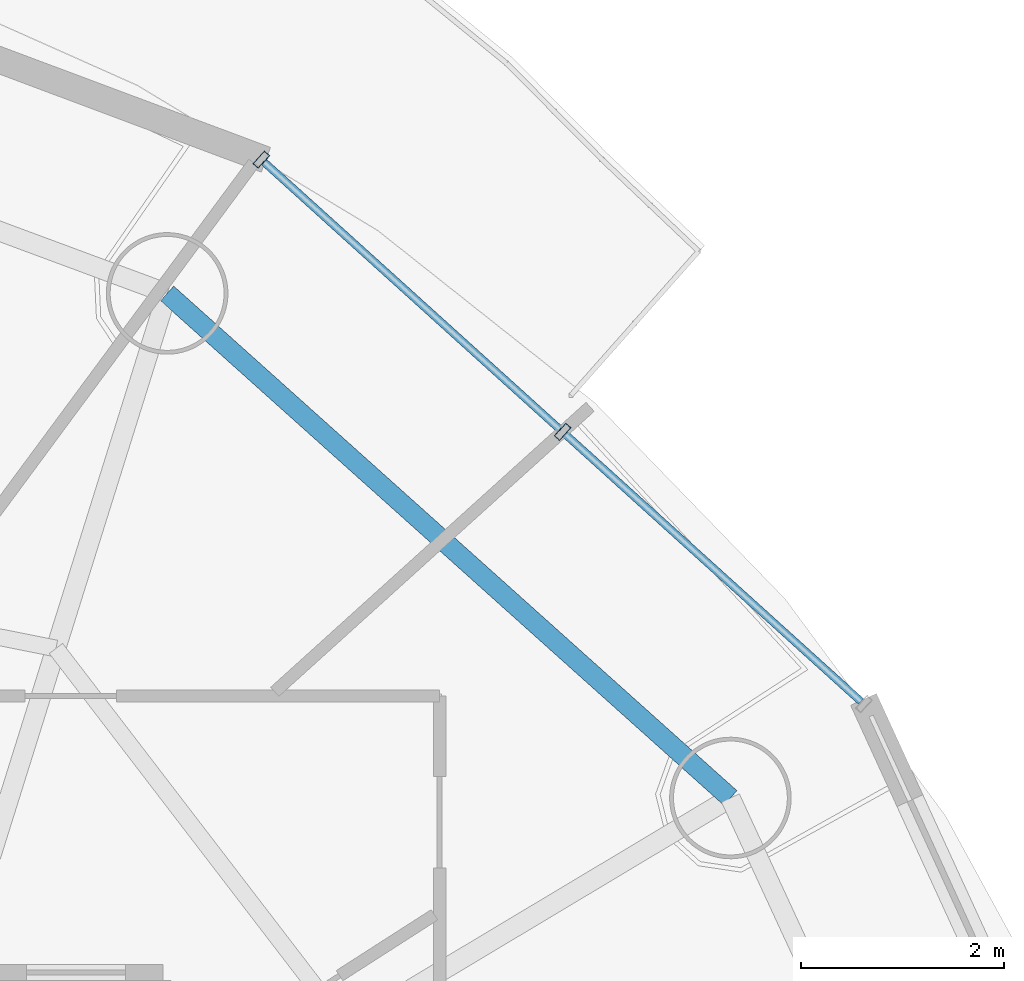
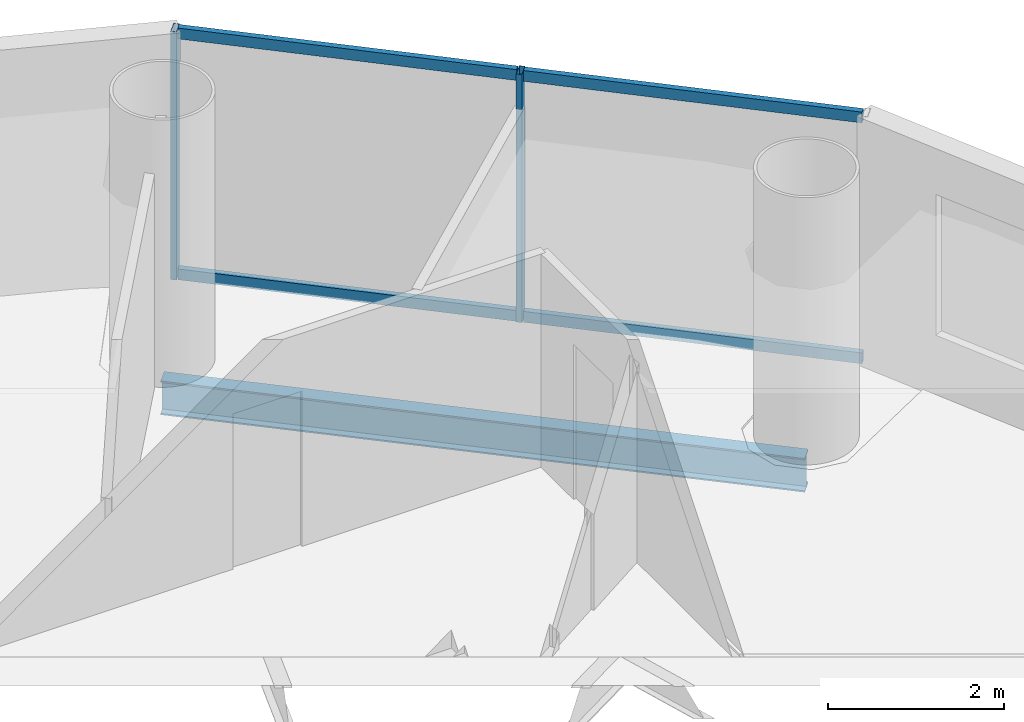
# One storey, part 18 of 27: 6 members, 1 beam, 1 element without a shape of its own.
"""IFC4 building model written with IfcOpenShell, lengths in metres."""

from ifc_helpers import new_model, si_unit, direction, frame, origin, origin_2d, place, context, subcontext, project, spatial, hollow_rectangle, i_section, extrude, source, transform, mapped, material, material_profile, profile_set, type_object, element, aggregate, save


model = new_model("IFC4")

# Units and contexts
model_context = context("Model", 3, precision=1e-05, world=origin(), true_north=direction((-0.2419218956, 0.970295726276)))
body_context = subcontext(model_context, "Body", "Model", "MODEL_VIEW")
ifc_project = project(units=[si_unit("LENGTHUNIT", "METRE"), si_unit("AREAUNIT", "SQUARE_METRE"), si_unit("VOLUMEUNIT", "CUBIC_METRE"), si_unit("PLANEANGLEUNIT", "RADIAN"), si_unit("MASSUNIT", "GRAM", prefix="KILO")], contexts=[model_context])

# Site, building, storey
site_placement = place(None, origin())
site = spatial("IfcSite", under=ifc_project, at=site_placement, CompositionType="ELEMENT")
building_placement = place(site_placement, origin())
building = spatial("IfcBuilding", under=site, at=building_placement, Name="Cobrevalo Terracotta Tower", CompositionType="ELEMENT")
storey_placement = place(building_placement, frame((0.0, 0.0, 191.199951171875)))
storey = spatial("IfcBuildingStorey", under=building, at=storey_placement, Name="L50", CompositionType="ELEMENT", Elevation=191.199951171875)

# Beam
ifc_material_1 = material(Name="Steel S355", Category="steel")
ifc_material_profile_1 = material_profile(ifc_material_1, i_section(OverallWidth=0.194091796875, OverallDepth=0.468994140625, WebThickness=0.011474609375, FlangeThickness=0.0205078125, at=origin_2d()), Name="W 460x106")
ifc_profile_set_1 = profile_set([ifc_material_profile_1], Name="Steel S355")
beam_type = type_object("IfcBeamType", Name="Structural Spandrel W 460x106 (Steel S355)", PredefinedType="SPANDREL", material=ifc_profile_set_1)
beam_placement = place(storey_placement, frame((54.754150390625, 36.828125, -0.49951171875), z_axis=(-0.744851930997, 0.667229796165, 0.0), x_axis=(-0.667229796165, -0.744851930997, 0.0)))
element("IfcBeam", 1, at=beam_placement, inside=storey, type_object=beam_type, Name="L50 perimeter ring spandrel 02", PredefinedType="SPANDREL", context=body_context, shape_type="SweptSolid", body=[
    extrude(i_section(OverallWidth=0.194091796875, OverallDepth=0.468994140625, WebThickness=0.011474609375, FlangeThickness=0.0205078125, at=origin_2d()), origin(), (0.0, 0.0, 1.0), 7.463623046875),
])

# Curtain wall, members
ifc_material_2 = material(Name="Anodized aluminium", Category="aluminium")
curtain_wall_type = type_object("IfcCurtainWallType", Name="Mid-tower high-wind unitised curtain wall CW-U2", PredefinedType="NOTDEFINED", material=ifc_material_2)
curtain_wall_placement = place(storey_placement, origin())
curtain_wall = element("IfcCurtainWall", 2, at=curtain_wall_placement, inside=storey, type_object=curtain_wall_type, Name="L50 curtain wall CW-L50-S02", PredefinedType="NOTDEFINED")
ifc_material_profile_2 = material_profile(ifc_material_2, hollow_rectangle(XDim=0.074951171875, YDim=0.14990234375, WallThickness=0.00439453125, at=origin_2d()), Name="CWT 75x150")
ifc_profile_set_2 = profile_set([ifc_material_profile_2], Name="Anodized aluminium")
member_type_1 = type_object("IfcMemberType", Name="Tower unitised aluminium transom 75x150", PredefinedType="USERDEFINED", material=ifc_profile_set_2)
shared_shape_1 = source(origin(), body_context, "Body", "SweptSolid", [
    extrude(hollow_rectangle(XDim=0.074951171875, YDim=0.14990234375, WallThickness=0.00439453125, at=origin_2d()), origin(), (0.0, 0.0, 1.0), 3.927490234375),
])
member_1_placement = place(storey_placement, frame((56.041748046875, 37.78173828125, 0.050048828125), z_axis=(-0.741975952623, 0.670426495396, 0.0), x_axis=(-0.670426495396, -0.741975952623, 0.0)))
member_1 = element("IfcMember", 3, at=member_1_placement, type_object=member_type_1, Name="CW-L50-S02 transom B01-T1", ObjectType="TRANSOM", PredefinedType="USERDEFINED", context=body_context, shape_type="MappedRepresentation", body=[
    mapped(shared_shape_1, transform((0.0, 0.0, 0.0), scale=1.0)),
])
member_2_placement = place(storey_placement, frame((56.041748046875, 37.78173828125, 3.385009765625), z_axis=(-0.741975952623, 0.670426495396, 0.0), x_axis=(-0.670426495396, -0.741975952623, 0.0)))
member_2 = element("IfcMember", 4, at=member_2_placement, type_object=member_type_1, Name="CW-L50-S02 transom B01-T2", ObjectType="TRANSOM", PredefinedType="USERDEFINED", context=body_context, shape_type="MappedRepresentation", body=[
    mapped(shared_shape_1, transform((0.0, 0.0, 0.0), scale=1.0)),
])
shared_shape_2 = source(origin(), body_context, "Body", "SweptSolid", [
    extrude(hollow_rectangle(XDim=0.074951171875, YDim=0.14990234375, WallThickness=0.00439453125, at=origin_2d()), origin(), (0.0, 0.0, 1.0), 3.927734375),
])
member_3_placement = place(storey_placement, frame((53.068359375, 40.46826171875, 0.050048828125), z_axis=(-0.742003891138, 0.670395573923, 0.0), x_axis=(-0.670395573923, -0.742003891138, 0.0)))
member_3 = element("IfcMember", 5, at=member_3_placement, type_object=member_type_1, Name="CW-L50-S02 transom B02-T1", ObjectType="TRANSOM", PredefinedType="USERDEFINED", context=body_context, shape_type="MappedRepresentation", body=[
    mapped(shared_shape_2, transform((0.0, 0.0, 0.0), scale=1.0)),
])
member_4_placement = place(storey_placement, frame((53.068359375, 40.46826171875, 3.385009765625), z_axis=(-0.742003891138, 0.670395573923, 0.0), x_axis=(-0.670395573923, -0.742003891138, 0.0)))
member_4 = element("IfcMember", 6, at=member_4_placement, type_object=member_type_1, Name="CW-L50-S02 transom B02-T2", ObjectType="TRANSOM", PredefinedType="USERDEFINED", context=body_context, shape_type="MappedRepresentation", body=[
    mapped(shared_shape_2, transform((0.0, 0.0, 0.0), scale=1.0)),
])
ifc_material_profile_3 = material_profile(ifc_material_2, hollow_rectangle(XDim=0.070068359375, YDim=0.169921875, WallThickness=0.00439453125, at=origin_2d()), Name="CWM 70x170")
ifc_profile_set_3 = profile_set([ifc_material_profile_3], Name="Anodized aluminium")
member_type_2 = type_object("IfcMemberType", Name="Upper tower unitised mullion 70x170", PredefinedType="MULLION", material=ifc_profile_set_3)
shared_shape_3 = source(origin(), body_context, "Body", "SweptSolid", [
    extrude(hollow_rectangle(XDim=0.070068359375, YDim=0.169921875, WallThickness=0.00439453125, at=origin_2d()), origin(), (0.0, 0.0, 1.0), 3.43505859375),
])
member_5_placement = place(storey_placement, frame((53.097900390625, 40.441650390625, 0.0), z_axis=(0.0, 0.0, 1.0), x_axis=(-0.741987542015, 0.670413668935, 0.0)))
member_5 = element("IfcMember", 7, at=member_5_placement, type_object=member_type_2, Name="CW-L50-S02 vertical mullion 02", PredefinedType="MULLION", context=body_context, shape_type="MappedRepresentation", body=[
    mapped(shared_shape_3, transform((0.0, 0.0, 0.0), scale=1.0)),
])
member_6_placement = place(storey_placement, frame((50.12451171875, 43.128173828125, 0.0), z_axis=(0.0, 0.0, 1.0), x_axis=(-0.741987542015, 0.670413668935, 0.0)))
member_6 = element("IfcMember", 8, at=member_6_placement, type_object=member_type_2, Name="CW-L50-S02 vertical mullion 03", PredefinedType="MULLION", context=body_context, shape_type="MappedRepresentation", body=[
    mapped(shared_shape_3, transform((0.0, 0.0, 0.0), scale=1.0)),
])
aggregate(curtain_wall, [member_5, member_6, member_1, member_2, member_3, member_4])

save(model, "model.ifc")
